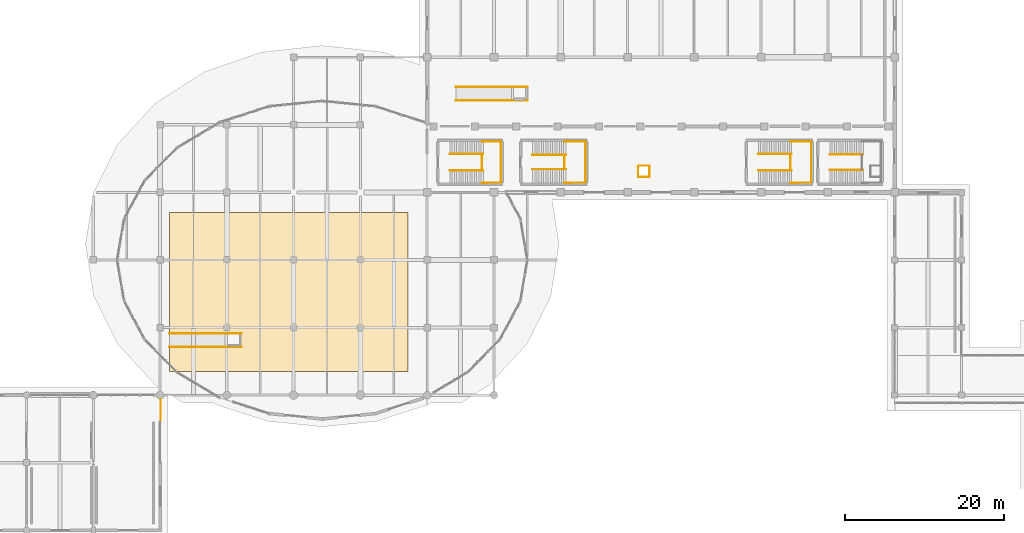
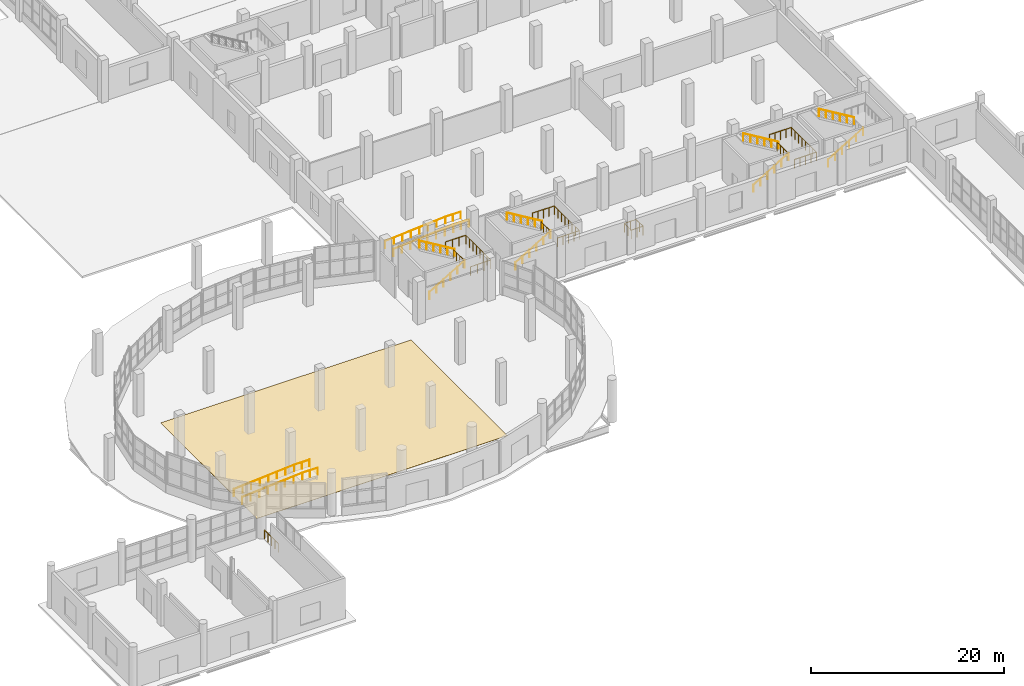
# One storey, part 100 of 107: 21 railings, 1 covering.
"""IFC4 building model written with IfcOpenShell, lengths in metres."""

from ifc_helpers import new_model, si_unit, direction, frame, origin, origin_2d, place, context, subcontext, project, spatial, polyline, circle, outline, extrude, material, layer, layer_set, type_object, element, save


model = new_model("IFC4")

# Units and contexts
model_context = context("Model", 3, precision=1e-05, world=origin(), true_north=direction((0.0, 1.0)))
body_context = subcontext(model_context, "Body", "Model", "MODEL_VIEW")
ifc_project = project(units=[si_unit("LENGTHUNIT", "METRE"), si_unit("AREAUNIT", "SQUARE_METRE"), si_unit("VOLUMEUNIT", "CUBIC_METRE"), si_unit("PLANEANGLEUNIT", "RADIAN"), si_unit("MASSUNIT", "GRAM", prefix="KILO")], contexts=[model_context])

# Site, building, storey
site_placement = place(None, origin())
site = spatial("IfcSite", under=ifc_project, at=site_placement, CompositionType="ELEMENT")
building_placement = place(site_placement, origin())
building = spatial("IfcBuilding", under=site, at=building_placement, Name="Solvento Point Concert Hall", CompositionType="ELEMENT")
storey_placement = place(building_placement, origin())
storey = spatial("IfcBuildingStorey", under=building, at=storey_placement, Name="L00", CompositionType="ELEMENT", Elevation=0.0)

# Railings
ifc_material_1 = material(Name="Brushed Stainless Steel Balustrade", Category="steel")
railing_type_1 = type_object("IfcRailingType", Name="StairHandrail_915", PredefinedType="HANDRAIL", material=ifc_material_1)
railing_1_placement = place(storey_placement, frame((87.64990234375, 45.409912109375, 0.168701171875)))
element("IfcRailing", 1, at=railing_1_placement, inside=storey, type_object=railing_type_1, Name="Stair handrail HR-01 ST-06 L00 F1", PredefinedType="HANDRAIL", context=body_context, shape_type="SweptSolid", body=[
    extrude(circle(Radius=0.0224609375, at=origin_2d()), frame((0.0, 0.0, 0.892578125), z_axis=(0.856489757249, 0.0, 0.516164020179), x_axis=(0.0, 1.0, 0.0)), (0.0, 0.0, 1.0), 4.904052734375),
    extrude(circle(Radius=0.01904296875, at=origin_2d()), origin(), (0.0, 0.0, 1.0), 0.8701171875),
    extrude(circle(Radius=0.01904296875, at=origin_2d()), frame((0.840087890625, 0.0, 0.50634765625)), (0.0, 0.0, 1.0), 0.8701171875),
    extrude(circle(Radius=0.01904296875, at=origin_2d()), frame((1.68017578125, 0.0, 1.012451171875)), (0.0, 0.0, 1.0), 0.8701171875),
    extrude(circle(Radius=0.01904296875, at=origin_2d()), frame((2.52001953125, 0.0, 1.518798828125)), (0.0, 0.0, 1.0), 0.8701171875),
    extrude(circle(Radius=0.01904296875, at=origin_2d()), frame((3.360107421875, 0.0, 2.02490234375)), (0.0, 0.0, 1.0), 0.8701171875),
    extrude(circle(Radius=0.01904296875, at=origin_2d()), frame((4.2001953125, 0.0, 2.53125)), (0.0, 0.0, 1.0), 0.8701171875),
])
railing_2_placement = place(storey_placement, frame((91.85009765625, 47.18994140625, 2.868896484375)))
element("IfcRailing", 2, at=railing_2_placement, inside=storey, type_object=railing_type_1, Name="Stair handrail HR-01 ST-06 L00 F2", PredefinedType="HANDRAIL", context=body_context, shape_type="SweptSolid", body=[
    extrude(circle(Radius=0.0224609375, at=origin_2d()), frame((0.0, 0.0, 0.892578125), z_axis=(-0.856511766154, 0.0, 0.51612749824), x_axis=(0.0, -1.0, 0.0)), (0.0, 0.0, 1.0), 4.90380859375),
    extrude(circle(Radius=0.01904296875, at=origin_2d()), origin(), (0.0, 0.0, 1.0), 0.8701171875),
    extrude(circle(Radius=0.01904296875, at=origin_2d()), frame((-0.840087890625, 0.0, 0.506103515625)), (0.0, 0.0, 1.0), 0.8701171875),
    extrude(circle(Radius=0.01904296875, at=origin_2d()), frame((-1.68017578125, 0.0, 1.012451171875)), (0.0, 0.0, 1.0), 0.8701171875),
    extrude(circle(Radius=0.01904296875, at=origin_2d()), frame((-2.52001953125, 0.0, 1.5185546875)), (0.0, 0.0, 1.0), 0.8701171875),
    extrude(circle(Radius=0.01904296875, at=origin_2d()), frame((-3.360107421875, 0.0, 2.02490234375)), (0.0, 0.0, 1.0), 0.8701171875),
    extrude(circle(Radius=0.01904296875, at=origin_2d()), frame((-4.2001953125, 0.0, 2.531005859375)), (0.0, 0.0, 1.0), 0.8701171875),
])
railing_3_placement = place(storey_placement, frame((116.050048828125, 45.25, 0.168701171875)))
element("IfcRailing", 3, at=railing_3_placement, inside=storey, type_object=railing_type_1, Name="Stair handrail HR-01 ST-07 L00 F1", PredefinedType="HANDRAIL", context=body_context, shape_type="SweptSolid", body=[
    extrude(circle(Radius=0.0224609375, at=origin_2d()), frame((0.0, 0.0, 0.892578125), z_axis=(0.856476492594, 0.0, 0.516186030065), x_axis=(0.0, 1.0, 0.0)), (0.0, 0.0, 1.0), 4.90380859375),
    extrude(circle(Radius=0.01904296875, at=origin_2d()), origin(), (0.0, 0.0, 1.0), 0.8701171875),
    extrude(circle(Radius=0.01904296875, at=origin_2d()), frame((0.840087890625, 0.0, 0.50634765625)), (0.0, 0.0, 1.0), 0.8701171875),
    extrude(circle(Radius=0.01904296875, at=origin_2d()), frame((1.679931640625, 0.0, 1.012451171875)), (0.0, 0.0, 1.0), 0.8701171875),
    extrude(circle(Radius=0.01904296875, at=origin_2d()), frame((2.52001953125, 0.0, 1.518798828125)), (0.0, 0.0, 1.0), 0.8701171875),
    extrude(circle(Radius=0.01904296875, at=origin_2d()), frame((3.35986328125, 0.0, 2.02490234375)), (0.0, 0.0, 1.0), 0.8701171875),
    extrude(circle(Radius=0.01904296875, at=origin_2d()), frame((4.199951171875, 0.0, 2.53125)), (0.0, 0.0, 1.0), 0.8701171875),
])
railing_4_placement = place(storey_placement, frame((120.25, 47.35009765625, 2.868896484375)))
element("IfcRailing", 4, at=railing_4_placement, inside=storey, type_object=railing_type_1, Name="Stair handrail HR-01 ST-07 L00 F2", PredefinedType="HANDRAIL", context=body_context, shape_type="SweptSolid", body=[
    extrude(circle(Radius=0.0224609375, at=origin_2d()), frame((0.0, 0.0, 0.892578125), z_axis=(-0.856498503035, 0.0, 0.5161495077), x_axis=(0.0, -1.0, 0.0)), (0.0, 0.0, 1.0), 4.903564453125),
    extrude(circle(Radius=0.01904296875, at=origin_2d()), origin(), (0.0, 0.0, 1.0), 0.8701171875),
    extrude(circle(Radius=0.01904296875, at=origin_2d()), frame((-0.840087890625, 0.0, 0.506103515625)), (0.0, 0.0, 1.0), 0.8701171875),
    extrude(circle(Radius=0.01904296875, at=origin_2d()), frame((-1.679931640625, 0.0, 1.012451171875)), (0.0, 0.0, 1.0), 0.8701171875),
    extrude(circle(Radius=0.01904296875, at=origin_2d()), frame((-2.52001953125, 0.0, 1.5185546875)), (0.0, 0.0, 1.0), 0.8701171875),
    extrude(circle(Radius=0.01904296875, at=origin_2d()), frame((-3.35986328125, 0.0, 2.02490234375)), (0.0, 0.0, 1.0), 0.8701171875),
    extrude(circle(Radius=0.01904296875, at=origin_2d()), frame((-4.199951171875, 0.0, 2.531005859375)), (0.0, 0.0, 1.0), 0.8701171875),
])
railing_5_placement = place(storey_placement, frame((77.25, 45.25, 0.168701171875)))
element("IfcRailing", 5, at=railing_5_placement, inside=storey, type_object=railing_type_1, Name="Stair handrail HR-01 VOM-01 L00 F1", PredefinedType="HANDRAIL", context=body_context, shape_type="SweptSolid", body=[
    extrude(circle(Radius=0.0224609375, at=origin_2d()), frame((0.0, 0.0, 0.892578125), z_axis=(0.856476492594, 0.0, 0.516186030065), x_axis=(0.0, 1.0, 0.0)), (0.0, 0.0, 1.0), 4.90380859375),
    extrude(circle(Radius=0.01904296875, at=origin_2d()), origin(), (0.0, 0.0, 1.0), 0.8701171875),
    extrude(circle(Radius=0.01904296875, at=origin_2d()), frame((0.840087890625, 0.0, 0.50634765625)), (0.0, 0.0, 1.0), 0.8701171875),
    extrude(circle(Radius=0.01904296875, at=origin_2d()), frame((1.679931640625, 0.0, 1.012451171875)), (0.0, 0.0, 1.0), 0.8701171875),
    extrude(circle(Radius=0.01904296875, at=origin_2d()), frame((2.52001953125, 0.0, 1.518798828125)), (0.0, 0.0, 1.0), 0.8701171875),
    extrude(circle(Radius=0.01904296875, at=origin_2d()), frame((3.35986328125, 0.0, 2.02490234375)), (0.0, 0.0, 1.0), 0.8701171875),
    extrude(circle(Radius=0.01904296875, at=origin_2d()), frame((4.199951171875, 0.0, 2.53125)), (0.0, 0.0, 1.0), 0.8701171875),
])
railing_6_placement = place(storey_placement, frame((81.449951171875, 47.35009765625, 2.868896484375)))
element("IfcRailing", 6, at=railing_6_placement, inside=storey, type_object=railing_type_1, Name="Stair handrail HR-01 VOM-01 L00 F2", PredefinedType="HANDRAIL", context=body_context, shape_type="SweptSolid", body=[
    extrude(circle(Radius=0.0224609375, at=origin_2d()), frame((0.0, 0.0, 0.892578125), z_axis=(-0.856498503035, 0.0, 0.5161495077), x_axis=(0.0, -1.0, 0.0)), (0.0, 0.0, 1.0), 4.903564453125),
    extrude(circle(Radius=0.01904296875, at=origin_2d()), origin(), (0.0, 0.0, 1.0), 0.8701171875),
    extrude(circle(Radius=0.01904296875, at=origin_2d()), frame((-0.840087890625, 0.0, 0.506103515625)), (0.0, 0.0, 1.0), 0.8701171875),
    extrude(circle(Radius=0.01904296875, at=origin_2d()), frame((-1.679931640625, 0.0, 1.012451171875)), (0.0, 0.0, 1.0), 0.8701171875),
    extrude(circle(Radius=0.01904296875, at=origin_2d()), frame((-2.52001953125, 0.0, 1.5185546875)), (0.0, 0.0, 1.0), 0.8701171875),
    extrude(circle(Radius=0.01904296875, at=origin_2d()), frame((-3.35986328125, 0.0, 2.02490234375)), (0.0, 0.0, 1.0), 0.8701171875),
    extrude(circle(Radius=0.01904296875, at=origin_2d()), frame((-4.199951171875, 0.0, 2.531005859375)), (0.0, 0.0, 1.0), 0.8701171875),
])
railing_7_placement = place(storey_placement, frame((125.050048828125, 45.330078125, 0.168701171875)))
element("IfcRailing", 7, at=railing_7_placement, inside=storey, type_object=railing_type_1, Name="Stair handrail HR-01 VOM-02 L00 F1", PredefinedType="HANDRAIL", context=body_context, shape_type="SweptSolid", body=[
    extrude(circle(Radius=0.0224609375, at=origin_2d()), frame((0.0, 0.0, 0.892578125), z_axis=(0.856476492594, 0.0, 0.516186030065), x_axis=(0.0, 1.0, 0.0)), (0.0, 0.0, 1.0), 4.90380859375),
    extrude(circle(Radius=0.01904296875, at=origin_2d()), origin(), (0.0, 0.0, 1.0), 0.8701171875),
    extrude(circle(Radius=0.01904296875, at=origin_2d()), frame((0.840087890625, 0.0, 0.50634765625)), (0.0, 0.0, 1.0), 0.8701171875),
    extrude(circle(Radius=0.01904296875, at=origin_2d()), frame((1.679931640625, 0.0, 1.012451171875)), (0.0, 0.0, 1.0), 0.8701171875),
    extrude(circle(Radius=0.01904296875, at=origin_2d()), frame((2.52001953125, 0.0, 1.518798828125)), (0.0, 0.0, 1.0), 0.8701171875),
    extrude(circle(Radius=0.01904296875, at=origin_2d()), frame((3.35986328125, 0.0, 2.02490234375)), (0.0, 0.0, 1.0), 0.8701171875),
    extrude(circle(Radius=0.01904296875, at=origin_2d()), frame((4.199951171875, 0.0, 2.53125)), (0.0, 0.0, 1.0), 0.8701171875),
])
railing_8_placement = place(storey_placement, frame((129.25, 47.27001953125, 2.868896484375)))
element("IfcRailing", 8, at=railing_8_placement, inside=storey, type_object=railing_type_1, Name="Stair handrail HR-01 VOM-02 L00 F2", PredefinedType="HANDRAIL", context=body_context, shape_type="SweptSolid", body=[
    extrude(circle(Radius=0.0224609375, at=origin_2d()), frame((0.0, 0.0, 0.892578125), z_axis=(-0.856498503035, 0.0, 0.5161495077), x_axis=(0.0, -1.0, 0.0)), (0.0, 0.0, 1.0), 4.903564453125),
    extrude(circle(Radius=0.01904296875, at=origin_2d()), origin(), (0.0, 0.0, 1.0), 0.8701171875),
    extrude(circle(Radius=0.01904296875, at=origin_2d()), frame((-0.840087890625, 0.0, 0.506103515625)), (0.0, 0.0, 1.0), 0.8701171875),
    extrude(circle(Radius=0.01904296875, at=origin_2d()), frame((-1.679931640625, 0.0, 1.012451171875)), (0.0, 0.0, 1.0), 0.8701171875),
    extrude(circle(Radius=0.01904296875, at=origin_2d()), frame((-2.52001953125, 0.0, 1.5185546875)), (0.0, 0.0, 1.0), 0.8701171875),
    extrude(circle(Radius=0.01904296875, at=origin_2d()), frame((-3.35986328125, 0.0, 2.02490234375)), (0.0, 0.0, 1.0), 0.8701171875),
    extrude(circle(Radius=0.01904296875, at=origin_2d()), frame((-4.199951171875, 0.0, 2.531005859375)), (0.0, 0.0, 1.0), 0.8701171875),
])
for number, where, name in (
    (9, (42.0, 23.06005859375, 0.0), "Accessible ramp handrail HR-01 RMP-F1"),
    (10, (42.0, 24.739990234375, 0.0), "Accessible ramp handrail HR-01 RMP-F1"),
    (11, (78.0, 54.06005859375, 0.0), "Accessible ramp handrail HR-01 RMP-H1"),
    (12, (78.0, 55.739990234375, 0.0), "Accessible ramp handrail HR-01 RMP-H1"),
):
    element("IfcRailing", number, at=place(storey_placement, frame(where)), inside=storey, type_object=railing_type_1, Name=name, PredefinedType="HANDRAIL", context=body_context, shape_type="SweptSolid", body=[
        extrude(circle(Radius=0.02099609375, at=origin_2d()), frame((0.0, 0.0, 0.89404296875), z_axis=(0.997094523106, 0.0, 0.076174221307), x_axis=(0.0, 1.0, 0.0)), (0.0, 0.0, 1.0), 7.220947265625),
        extrude(circle(Radius=0.02099609375, at=origin_2d()), frame((7.199951171875, 0.0, 1.444091796875), z_axis=(1.0, 0.0, 0.0), x_axis=(0.0, 1.0, 0.0)), (0.0, 0.0, 1.0), 1.85009765625),
        extrude(circle(Radius=0.01904296875, at=origin_2d()), origin(), (0.0, 0.0, 1.0), 0.873046875),
        extrude(circle(Radius=0.01904296875, at=origin_2d()), frame((1.028564453125, 0.0, 0.07861328125)), (0.0, 0.0, 1.0), 0.873046875),
        extrude(circle(Radius=0.01904296875, at=origin_2d()), frame((2.05712890625, 0.0, 0.1572265625)), (0.0, 0.0, 1.0), 0.873046875),
        extrude(circle(Radius=0.01904296875, at=origin_2d()), frame((3.085693359375, 0.0, 0.23583984375)), (0.0, 0.0, 1.0), 0.873046875),
        extrude(circle(Radius=0.01904296875, at=origin_2d()), frame((4.1142578125, 0.0, 0.314208984375)), (0.0, 0.0, 1.0), 0.873046875),
        extrude(circle(Radius=0.01904296875, at=origin_2d()), frame((5.142822265625, 0.0, 0.392822265625)), (0.0, 0.0, 1.0), 0.873046875),
        extrude(circle(Radius=0.01904296875, at=origin_2d()), frame((6.17138671875, 0.0, 0.471435546875)), (0.0, 0.0, 1.0), 0.873046875),
        extrude(circle(Radius=0.01904296875, at=origin_2d()), frame((7.199951171875, 0.0, 0.550048828125)), (0.0, 0.0, 1.0), 0.873046875),
        extrude(circle(Radius=0.01904296875, at=origin_2d()), frame((8.125, 0.0, 0.550048828125)), (0.0, 0.0, 1.0), 0.873046875),
        extrude(circle(Radius=0.01904296875, at=origin_2d()), frame((9.050048828125, 0.0, 0.550048828125)), (0.0, 0.0, 1.0), 0.873046875),
    ])
ifc_material_2 = material(Name="Brushed Stainless Steel Balustrade", Category="steel")
railing_type_2 = type_object("IfcRailingType", Name="StairWellGuard_1100", PredefinedType="BALUSTRADE", material=ifc_material_2)
railing_9_placement = place(storey_placement, frame((91.679931640625, 43.699951171875, 2.699951171875)))
element("IfcRailing", 13, at=railing_9_placement, inside=storey, type_object=railing_type_2, Name="Half-landing perimeter guard GR-02 ST-06 L00", PredefinedType="BALUSTRADE", context=body_context, shape_type="SweptSolid", body=[
    extrude(circle(Radius=0.02392578125, at=origin_2d()), frame((0.0, 0.0, 1.09619140625), z_axis=(0.999970811124, 0.007640477685, 0.0), x_axis=(-0.007640477685, 0.999970811124, 0.0)), (0.0, 0.0, 1.0), 2.6201171875),
    extrude(circle(Radius=0.02392578125, at=origin_2d()), frame((2.6201171875, 0.02001953125, 1.09619140625), z_axis=(0.0, 1.0, 0.0), x_axis=(-1.0, 0.0, 0.0)), (0.0, 0.0, 1.0), 5.159912109375),
    extrude(circle(Radius=0.02392578125, at=origin_2d()), frame((2.6201171875, 5.179931640625, 1.09619140625), z_axis=(-0.999970811124, 0.007640477685, 0.0), x_axis=(-0.007640477685, -0.999970811124, 0.0)), (0.0, 0.0, 1.0), 2.6201171875),
    extrude(circle(Radius=0.02099609375, at=origin_2d()), origin(), (0.0, 0.0, 1.0), 1.072021484375),
    extrude(circle(Radius=0.02099609375, at=origin_2d()), frame((0.655029296875, 0.0048828125, 0.0)), (0.0, 0.0, 1.0), 1.072021484375),
    extrude(circle(Radius=0.02099609375, at=origin_2d()), frame((1.31005859375, 0.010009765625, 0.0)), (0.0, 0.0, 1.0), 1.072021484375),
    extrude(circle(Radius=0.02099609375, at=origin_2d()), frame((1.965087890625, 0.01513671875, 0.0)), (0.0, 0.0, 1.0), 1.072021484375),
    extrude(circle(Radius=0.02099609375, at=origin_2d()), frame((2.6201171875, 0.02001953125, 0.0)), (0.0, 0.0, 1.0), 1.072021484375),
    extrude(circle(Radius=0.02099609375, at=origin_2d()), frame((2.6201171875, 0.757080078125, 0.0)), (0.0, 0.0, 1.0), 1.072021484375),
    extrude(circle(Radius=0.02099609375, at=origin_2d()), frame((2.6201171875, 1.494384765625, 0.0)), (0.0, 0.0, 1.0), 1.072021484375),
    extrude(circle(Radius=0.02099609375, at=origin_2d()), frame((2.6201171875, 2.2314453125, 0.0)), (0.0, 0.0, 1.0), 1.072021484375),
    extrude(circle(Radius=0.02099609375, at=origin_2d()), frame((2.6201171875, 2.968505859375, 0.0)), (0.0, 0.0, 1.0), 1.072021484375),
    extrude(circle(Radius=0.02099609375, at=origin_2d()), frame((2.6201171875, 3.70556640625, 0.0)), (0.0, 0.0, 1.0), 1.072021484375),
    extrude(circle(Radius=0.02099609375, at=origin_2d()), frame((2.6201171875, 4.44287109375, 0.0)), (0.0, 0.0, 1.0), 1.072021484375),
    extrude(circle(Radius=0.02099609375, at=origin_2d()), frame((2.6201171875, 5.179931640625, 0.0)), (0.0, 0.0, 1.0), 1.072021484375),
    extrude(circle(Radius=0.02099609375, at=origin_2d()), frame((1.965087890625, 5.18505859375, 0.0)), (0.0, 0.0, 1.0), 1.072021484375),
    extrude(circle(Radius=0.02099609375, at=origin_2d()), frame((1.31005859375, 5.18994140625, 0.0)), (0.0, 0.0, 1.0), 1.072021484375),
    extrude(circle(Radius=0.02099609375, at=origin_2d()), frame((0.655029296875, 5.19482421875, 0.0)), (0.0, 0.0, 1.0), 1.072021484375),
    extrude(circle(Radius=0.02099609375, at=origin_2d()), frame((0.0, 5.199951171875, 0.0)), (0.0, 0.0, 1.0), 1.072021484375),
])
railing_10_placement = place(storey_placement, frame((91.679931640625, 45.4599609375, 2.699951171875)))
element("IfcRailing", 14, at=railing_10_placement, inside=storey, type_object=railing_type_2, Name="Half-landing slot guard GR-02 ST-06 L00", PredefinedType="BALUSTRADE", context=body_context, shape_type="SweptSolid", body=[
    extrude(circle(Radius=0.02392578125, at=origin_2d()), frame((0.0, 0.0, 1.09619140625), z_axis=(0.0, 1.0, 0.0), x_axis=(-1.0, 0.0, 0.0)), (0.0, 0.0, 1.0), 1.679931640625),
    extrude(circle(Radius=0.02099609375, at=origin_2d()), origin(), (0.0, 0.0, 1.0), 1.072021484375),
    extrude(circle(Radius=0.02099609375, at=origin_2d()), frame((0.0, 0.56005859375, 0.0)), (0.0, 0.0, 1.0), 1.072021484375),
    extrude(circle(Radius=0.02099609375, at=origin_2d()), frame((0.0, 1.119873046875, 0.0)), (0.0, 0.0, 1.0), 1.072021484375),
    extrude(circle(Radius=0.02099609375, at=origin_2d()), frame((0.0, 1.679931640625, 0.0)), (0.0, 0.0, 1.0), 1.072021484375),
])
railing_11_placement = place(storey_placement, frame((120.080078125, 43.699951171875, 2.699951171875)))
element("IfcRailing", 15, at=railing_11_placement, inside=storey, type_object=railing_type_2, Name="Half-landing perimeter guard GR-02 ST-07 L00", PredefinedType="BALUSTRADE", context=body_context, shape_type="SweptSolid", body=[
    extrude(circle(Radius=0.02392578125, at=origin_2d()), frame((0.0, 0.0, 1.09619140625), z_axis=(0.999970805684, 0.007641189644, 0.0), x_axis=(-0.007641189644, 0.999970805684, 0.0)), (0.0, 0.0, 1.0), 2.619873046875),
    extrude(circle(Radius=0.02392578125, at=origin_2d()), frame((2.619873046875, 0.02001953125, 1.09619140625), z_axis=(0.0, 1.0, 0.0), x_axis=(-1.0, 0.0, 0.0)), (0.0, 0.0, 1.0), 5.159912109375),
    extrude(circle(Radius=0.02392578125, at=origin_2d()), frame((2.619873046875, 5.179931640625, 1.09619140625), z_axis=(-0.999970805684, 0.007641189644, 0.0), x_axis=(-0.007641189644, -0.999970805684, 0.0)), (0.0, 0.0, 1.0), 2.619873046875),
    extrude(circle(Radius=0.02099609375, at=origin_2d()), origin(), (0.0, 0.0, 1.0), 1.072021484375),
    extrude(circle(Radius=0.02099609375, at=origin_2d()), frame((0.655029296875, 0.0048828125, 0.0)), (0.0, 0.0, 1.0), 1.072021484375),
    extrude(circle(Radius=0.02099609375, at=origin_2d()), frame((1.31005859375, 0.010009765625, 0.0)), (0.0, 0.0, 1.0), 1.072021484375),
    extrude(circle(Radius=0.02099609375, at=origin_2d()), frame((1.96484375, 0.01513671875, 0.0)), (0.0, 0.0, 1.0), 1.072021484375),
    extrude(circle(Radius=0.02099609375, at=origin_2d()), frame((2.619873046875, 0.02001953125, 0.0)), (0.0, 0.0, 1.0), 1.072021484375),
    extrude(circle(Radius=0.02099609375, at=origin_2d()), frame((2.619873046875, 0.757080078125, 0.0)), (0.0, 0.0, 1.0), 1.072021484375),
    extrude(circle(Radius=0.02099609375, at=origin_2d()), frame((2.619873046875, 1.494384765625, 0.0)), (0.0, 0.0, 1.0), 1.072021484375),
    extrude(circle(Radius=0.02099609375, at=origin_2d()), frame((2.619873046875, 2.2314453125, 0.0)), (0.0, 0.0, 1.0), 1.072021484375),
    extrude(circle(Radius=0.02099609375, at=origin_2d()), frame((2.619873046875, 2.968505859375, 0.0)), (0.0, 0.0, 1.0), 1.072021484375),
    extrude(circle(Radius=0.02099609375, at=origin_2d()), frame((2.619873046875, 3.70556640625, 0.0)), (0.0, 0.0, 1.0), 1.072021484375),
    extrude(circle(Radius=0.02099609375, at=origin_2d()), frame((2.619873046875, 4.44287109375, 0.0)), (0.0, 0.0, 1.0), 1.072021484375),
    extrude(circle(Radius=0.02099609375, at=origin_2d()), frame((2.619873046875, 5.179931640625, 0.0)), (0.0, 0.0, 1.0), 1.072021484375),
    extrude(circle(Radius=0.02099609375, at=origin_2d()), frame((1.96484375, 5.18505859375, 0.0)), (0.0, 0.0, 1.0), 1.072021484375),
    extrude(circle(Radius=0.02099609375, at=origin_2d()), frame((1.31005859375, 5.18994140625, 0.0)), (0.0, 0.0, 1.0), 1.072021484375),
    extrude(circle(Radius=0.02099609375, at=origin_2d()), frame((0.655029296875, 5.19482421875, 0.0)), (0.0, 0.0, 1.0), 1.072021484375),
    extrude(circle(Radius=0.02099609375, at=origin_2d()), frame((0.0, 5.199951171875, 0.0)), (0.0, 0.0, 1.0), 1.072021484375),
])
railing_12_placement = place(storey_placement, frame((120.080078125, 45.300048828125, 2.699951171875)))
element("IfcRailing", 16, at=railing_12_placement, inside=storey, type_object=railing_type_2, Name="Half-landing slot guard GR-02 ST-07 L00", PredefinedType="BALUSTRADE", context=body_context, shape_type="SweptSolid", body=[
    extrude(circle(Radius=0.02392578125, at=origin_2d()), frame((0.0, 0.0, 1.09619140625), z_axis=(0.0, 1.0, 0.0), x_axis=(-1.0, 0.0, 0.0)), (0.0, 0.0, 1.0), 2.0),
    extrude(circle(Radius=0.02099609375, at=origin_2d()), origin(), (0.0, 0.0, 1.0), 1.072021484375),
    extrude(circle(Radius=0.02099609375, at=origin_2d()), frame((0.0, 0.666748046875, 0.0)), (0.0, 0.0, 1.0), 1.072021484375),
    extrude(circle(Radius=0.02099609375, at=origin_2d()), frame((0.0, 1.333251953125, 0.0)), (0.0, 0.0, 1.0), 1.072021484375),
    extrude(circle(Radius=0.02099609375, at=origin_2d()), frame((0.0, 2.0, 0.0)), (0.0, 0.0, 1.0), 1.072021484375),
])
railing_13_placement = place(storey_placement, frame((81.280029296875, 43.699951171875, 2.699951171875)))
element("IfcRailing", 17, at=railing_13_placement, inside=storey, type_object=railing_type_2, Name="Half-landing perimeter guard GR-02 VOM-01 L00", PredefinedType="BALUSTRADE", context=body_context, shape_type="SweptSolid", body=[
    extrude(circle(Radius=0.02392578125, at=origin_2d()), frame((0.0, 0.0, 1.09619140625), z_axis=(0.999965782141, 0.008272517568, 0.0), x_axis=(-0.008272517568, 0.999965782141, 0.0)), (0.0, 0.0, 1.0), 2.419921875),
    extrude(circle(Radius=0.02392578125, at=origin_2d()), frame((2.419921875, 0.02001953125, 1.09619140625), z_axis=(0.0, 1.0, 0.0), x_axis=(-1.0, 0.0, 0.0)), (0.0, 0.0, 1.0), 5.159912109375),
    extrude(circle(Radius=0.02392578125, at=origin_2d()), frame((2.419921875, 5.179931640625, 1.09619140625), z_axis=(-0.999965782141, 0.008272517568, 0.0), x_axis=(-0.008272517568, -0.999965782141, 0.0)), (0.0, 0.0, 1.0), 2.419921875),
    extrude(circle(Radius=0.02099609375, at=origin_2d()), origin(), (0.0, 0.0, 1.0), 1.072021484375),
    extrude(circle(Radius=0.02099609375, at=origin_2d()), frame((0.806640625, 0.006591796875, 0.0)), (0.0, 0.0, 1.0), 1.072021484375),
    extrude(circle(Radius=0.02099609375, at=origin_2d()), frame((1.61328125, 0.013427734375, 0.0)), (0.0, 0.0, 1.0), 1.072021484375),
    extrude(circle(Radius=0.02099609375, at=origin_2d()), frame((2.419921875, 0.02001953125, 0.0)), (0.0, 0.0, 1.0), 1.072021484375),
    extrude(circle(Radius=0.02099609375, at=origin_2d()), frame((2.419921875, 0.757080078125, 0.0)), (0.0, 0.0, 1.0), 1.072021484375),
    extrude(circle(Radius=0.02099609375, at=origin_2d()), frame((2.419921875, 1.494384765625, 0.0)), (0.0, 0.0, 1.0), 1.072021484375),
    extrude(circle(Radius=0.02099609375, at=origin_2d()), frame((2.419921875, 2.2314453125, 0.0)), (0.0, 0.0, 1.0), 1.072021484375),
    extrude(circle(Radius=0.02099609375, at=origin_2d()), frame((2.419921875, 2.968505859375, 0.0)), (0.0, 0.0, 1.0), 1.072021484375),
    extrude(circle(Radius=0.02099609375, at=origin_2d()), frame((2.419921875, 3.70556640625, 0.0)), (0.0, 0.0, 1.0), 1.072021484375),
    extrude(circle(Radius=0.02099609375, at=origin_2d()), frame((2.419921875, 4.44287109375, 0.0)), (0.0, 0.0, 1.0), 1.072021484375),
    extrude(circle(Radius=0.02099609375, at=origin_2d()), frame((2.419921875, 5.179931640625, 0.0)), (0.0, 0.0, 1.0), 1.072021484375),
    extrude(circle(Radius=0.02099609375, at=origin_2d()), frame((1.61328125, 5.1865234375, 0.0)), (0.0, 0.0, 1.0), 1.072021484375),
    extrude(circle(Radius=0.02099609375, at=origin_2d()), frame((0.806640625, 5.193359375, 0.0)), (0.0, 0.0, 1.0), 1.072021484375),
    extrude(circle(Radius=0.02099609375, at=origin_2d()), frame((0.0, 5.199951171875, 0.0)), (0.0, 0.0, 1.0), 1.072021484375),
])
railing_14_placement = place(storey_placement, frame((81.280029296875, 45.300048828125, 2.699951171875)))
element("IfcRailing", 18, at=railing_14_placement, inside=storey, type_object=railing_type_2, Name="Half-landing slot guard GR-02 VOM-01 L00", PredefinedType="BALUSTRADE", context=body_context, shape_type="SweptSolid", body=[
    extrude(circle(Radius=0.02392578125, at=origin_2d()), frame((0.0, 0.0, 1.09619140625), z_axis=(0.0, 1.0, 0.0), x_axis=(-1.0, 0.0, 0.0)), (0.0, 0.0, 1.0), 2.0),
    extrude(circle(Radius=0.02099609375, at=origin_2d()), origin(), (0.0, 0.0, 1.0), 1.072021484375),
    extrude(circle(Radius=0.02099609375, at=origin_2d()), frame((0.0, 0.666748046875, 0.0)), (0.0, 0.0, 1.0), 1.072021484375),
    extrude(circle(Radius=0.02099609375, at=origin_2d()), frame((0.0, 1.333251953125, 0.0)), (0.0, 0.0, 1.0), 1.072021484375),
    extrude(circle(Radius=0.02099609375, at=origin_2d()), frame((0.0, 2.0, 0.0)), (0.0, 0.0, 1.0), 1.072021484375),
])
ifc_material_3 = material(Name="Brushed Stainless Steel Balustrade", Category="steel")
railing_type_3 = type_object("IfcRailingType", Name="TerraceBalustrade_1100", PredefinedType="BALUSTRADE", material=ifc_material_3)
railing_15_placement = place(storey_placement, frame((100.93994140625, 45.830078125, 0.0)))
element("IfcRailing", 19, at=railing_15_placement, inside=storey, type_object=railing_type_3, Name="Guard balustrade GR-01 L00", PredefinedType="BALUSTRADE", context=body_context, shape_type="SweptSolid", body=[
    extrude(circle(Radius=0.02392578125, at=origin_2d()), frame((0.0, 0.0, 1.09619140625), z_axis=(0.0, -1.0, 0.0), x_axis=(1.0, 0.0, 0.0)), (0.0, 0.0, 1.0), 1.39013671875),
    extrude(circle(Radius=0.02392578125, at=origin_2d()), frame((0.0, -1.39013671875, 1.09619140625), z_axis=(1.0, 0.0, 0.0), x_axis=(0.0, 1.0, 0.0)), (0.0, 0.0, 1.0), 1.39013671875),
    extrude(circle(Radius=0.02099609375, at=origin_2d()), origin(), (0.0, 0.0, 1.0), 1.072021484375),
    extrude(circle(Radius=0.02099609375, at=origin_2d()), frame((0.0, -0.695068359375, 0.0)), (0.0, 0.0, 1.0), 1.072021484375),
    extrude(circle(Radius=0.02099609375, at=origin_2d()), frame((0.0, -1.39013671875, 0.0)), (0.0, 0.0, 1.0), 1.072021484375),
    extrude(circle(Radius=0.02099609375, at=origin_2d()), frame((0.695068359375, -1.39013671875, 0.0)), (0.0, 0.0, 1.0), 1.072021484375),
    extrude(circle(Radius=0.02099609375, at=origin_2d()), frame((1.39013671875, -1.39013671875, 0.0)), (0.0, 0.0, 1.0), 1.072021484375),
])
railing_16_placement = place(storey_placement, frame((102.360107421875, 44.469970703125, 0.0)))
element("IfcRailing", 20, at=railing_16_placement, inside=storey, type_object=railing_type_3, Name="Guard balustrade GR-01 L00", PredefinedType="BALUSTRADE", context=body_context, shape_type="SweptSolid", body=[
    extrude(circle(Radius=0.02392578125, at=origin_2d()), frame((0.0, 0.0, 1.09619140625), z_axis=(0.0, 1.0, 0.0), x_axis=(-1.0, 0.0, 0.0)), (0.0, 0.0, 1.0), 1.39013671875),
    extrude(circle(Radius=0.02392578125, at=origin_2d()), frame((0.0, 1.39013671875, 1.09619140625), z_axis=(-1.0, 0.0, 0.0), x_axis=(0.0, -1.0, 0.0)), (0.0, 0.0, 1.0), 1.39013671875),
    extrude(circle(Radius=0.02099609375, at=origin_2d()), origin(), (0.0, 0.0, 1.0), 1.072021484375),
    extrude(circle(Radius=0.02099609375, at=origin_2d()), frame((0.0, 0.695068359375, 0.0)), (0.0, 0.0, 1.0), 1.072021484375),
    extrude(circle(Radius=0.02099609375, at=origin_2d()), frame((0.0, 1.39013671875, 0.0)), (0.0, 0.0, 1.0), 1.072021484375),
    extrude(circle(Radius=0.02099609375, at=origin_2d()), frame((-0.695068359375, 1.39013671875, 0.0)), (0.0, 0.0, 1.0), 1.072021484375),
    extrude(circle(Radius=0.02099609375, at=origin_2d()), frame((-1.39013671875, 1.39013671875, 0.0)), (0.0, 0.0, 1.0), 1.072021484375),
])
railing_17_placement = place(storey_placement, frame((40.885009765625, 13.655029296875, 0.0)))
element("IfcRailing", 21, at=railing_17_placement, inside=storey, type_object=railing_type_3, Name="Guard balustrade GR-01 L00", PredefinedType="BALUSTRADE", context=body_context, shape_type="SweptSolid", body=[
    extrude(circle(Radius=0.02392578125, at=origin_2d()), frame((0.0, 0.0, 1.09619140625), z_axis=(0.0, 1.0, 0.0), x_axis=(-1.0, 0.0, 0.0)), (0.0, 0.0, 1.0), 2.820068359375),
    extrude(circle(Radius=0.02099609375, at=origin_2d()), origin(), (0.0, 0.0, 1.0), 1.072021484375),
    extrude(circle(Radius=0.02099609375, at=origin_2d()), frame((0.0, 0.705078125, 0.0)), (0.0, 0.0, 1.0), 1.072021484375),
    extrude(circle(Radius=0.02099609375, at=origin_2d()), frame((0.0, 1.41015625, 0.0)), (0.0, 0.0, 1.0), 1.072021484375),
    extrude(circle(Radius=0.02099609375, at=origin_2d()), frame((0.0, 2.114990234375, 0.0)), (0.0, 0.0, 1.0), 1.072021484375),
    extrude(circle(Radius=0.02099609375, at=origin_2d()), frame((0.0, 2.820068359375, 0.0)), (0.0, 0.0, 1.0), 1.072021484375),
])

# Covering
ifc_material_4 = material(Name="Coral-Sand Terrazzo Flooring")
ifc_layer = layer(ifc_material_4, 0.02490234375)
ifc_layer_set = layer_set([ifc_layer], Name="Coral-Sand Terrazzo Flooring")
covering_type = type_object("IfcCoveringType", Name="TerrazzoFlooring_25", PredefinedType="FLOORING", material=ifc_layer_set)
covering_placement = place(storey_placement, origin())
element("IfcCovering", 22, at=covering_placement, inside=storey, type_object=covering_type, Name="Coral-sand terrazzo floor finish FLR-L00-FOY", PredefinedType="FLOORING", context=body_context, shape_type="SweptSolid", body=[
    extrude(outline(polyline([(42.0, 20.0), (72.0, 20.0), (72.0, 40.0), (42.0, 40.0), (42.0, 20.0)])), origin(), (0.0, 0.0, 1.0), 0.02490234375),
])

save(model, "model.ifc")
